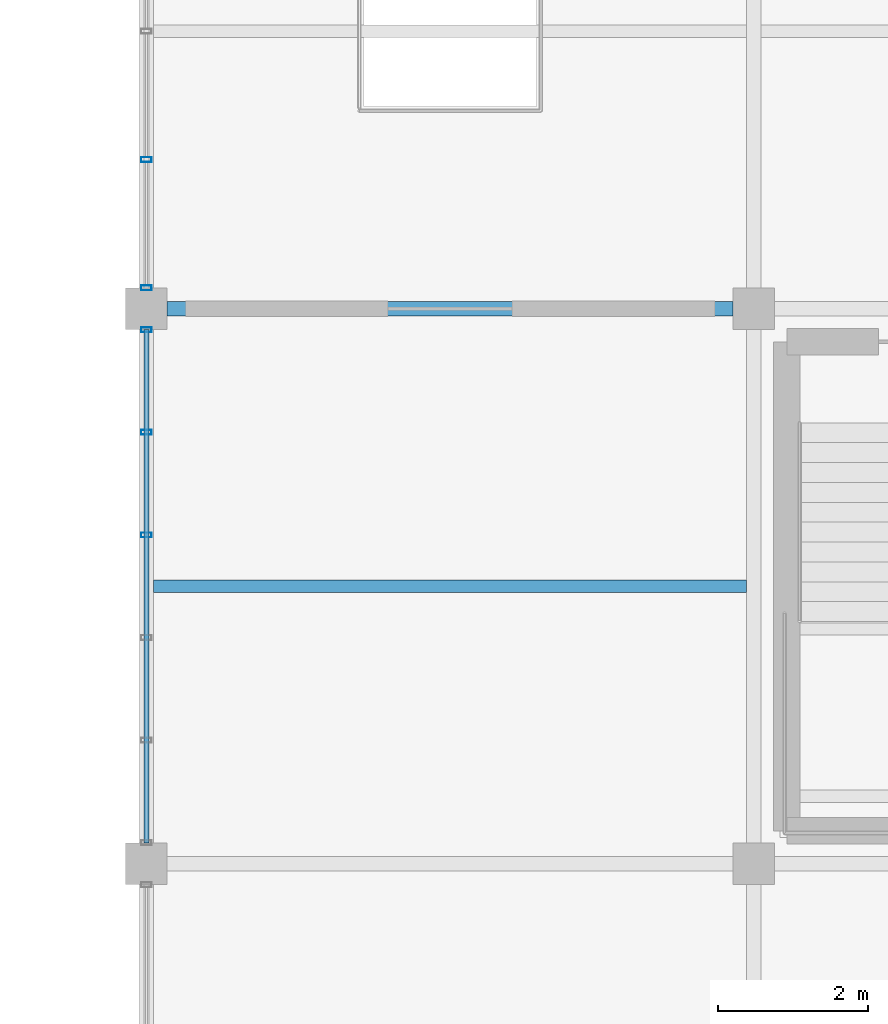
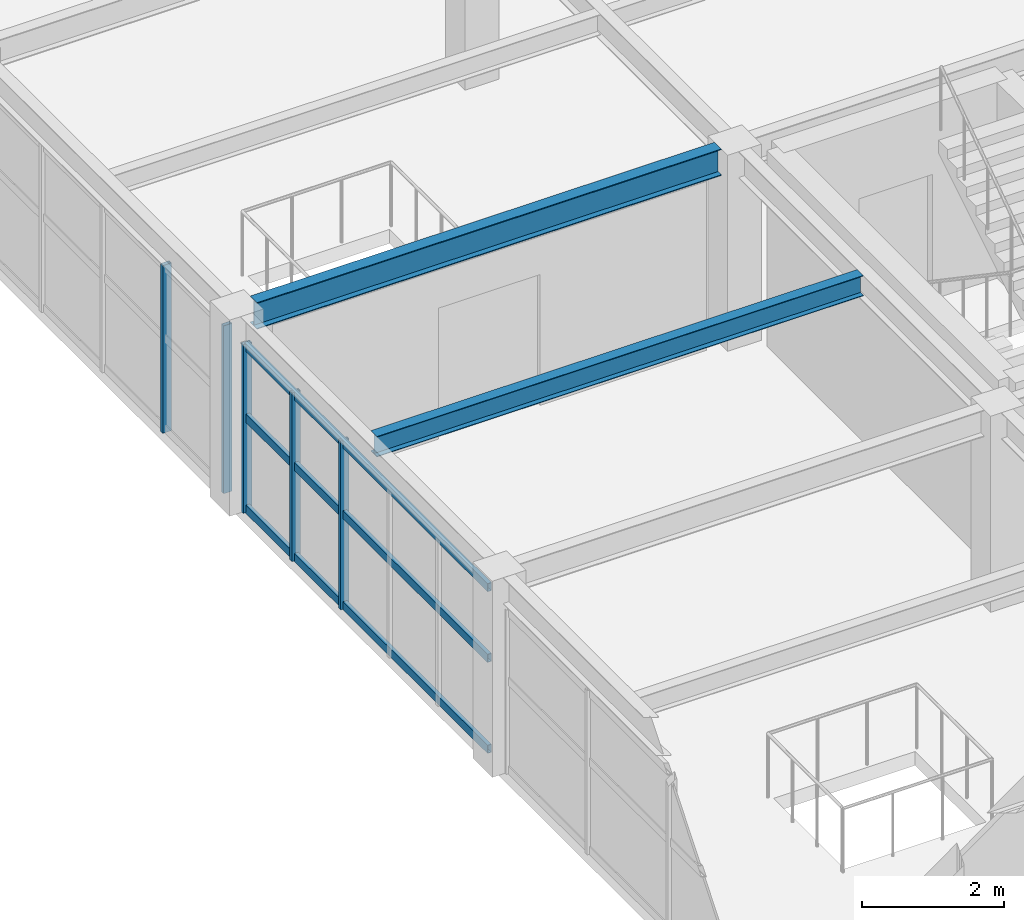
# One storey, part 37 of 121: 8 members, 2 beams, 2 elements without a shape of their own.
"""IFC4 building model written with IfcOpenShell, lengths in metres."""

from ifc_helpers import new_model, si_unit, direction, frame, origin, origin_2d, place, context, subcontext, project, spatial, hollow_rectangle, i_section, extrude, material, material_profile, profile_set, type_object, element, aggregate, save


model = new_model("IFC4")

# Units and contexts
model_context = context("Model", 3, precision=1e-05, world=origin(), true_north=direction((0.0, 1.0)))
body_context = subcontext(model_context, "Body", "Model", "MODEL_VIEW")
ifc_project = project(units=[si_unit("LENGTHUNIT", "METRE"), si_unit("AREAUNIT", "SQUARE_METRE"), si_unit("VOLUMEUNIT", "CUBIC_METRE"), si_unit("PLANEANGLEUNIT", "RADIAN"), si_unit("MASSUNIT", "GRAM", prefix="KILO")], contexts=[model_context])

# Site, building, storey
site_placement = place(None, origin())
site = spatial("IfcSite", under=ifc_project, at=site_placement, CompositionType="ELEMENT")
building_placement = place(site_placement, origin())
building = spatial("IfcBuilding", under=site, at=building_placement, Name="Cimatlan Art Gallery", CompositionType="ELEMENT")
storey_placement = place(building_placement, frame((0.0, 0.0, 10.199951171875)))
storey = spatial("IfcBuildingStorey", under=building, at=storey_placement, Name="L02", CompositionType="ELEMENT", Elevation=10.199951171875)

# Beams
ifc_material_1 = material(Name="Steel ASTM A992 Grade 50", Category="steel")
ifc_material_profile_1 = material_profile(ifc_material_1, i_section(OverallWidth=0.1708984375, OverallDepth=0.35107421875, WebThickness=0.0068359375, FlangeThickness=0.009765625, at=origin_2d()), Name="W14X30")
ifc_profile_set_1 = profile_set([ifc_material_profile_1], Name="Steel ASTM A992 Grade 50")
beam_type_1 = type_object("IfcBeamType", Name="BM-STL-W14X30", PredefinedType="JOIST", material=ifc_profile_set_1)
beam_1_placement = place(storey_placement, frame((115.49560546875, 49.800048828125, 3.194580078125), z_axis=(1.0, 0.0, 0.0), x_axis=(0.0, 1.0, 0.0)))
element("IfcBeam", 1, at=beam_1_placement, inside=storey, type_object=beam_type_1, Name="JST-L02-14-06", PredefinedType="JOIST", context=body_context, shape_type="SweptSolid", body=[
    extrude(i_section(OverallWidth=0.1708984375, OverallDepth=0.35107421875, WebThickness=0.0068359375, FlangeThickness=0.009765625, at=origin_2d()), origin(), (0.0, 0.0, 1.0), 7.908935546875),
])
ifc_material_profile_2 = material_profile(ifc_material_1, i_section(OverallWidth=0.19091796875, OverallDepth=0.45703125, WebThickness=0.009033203125, FlangeThickness=0.014404296875, at=origin_2d()), Name="W18X50")
ifc_profile_set_2 = profile_set([ifc_material_profile_2], Name="Steel ASTM A992 Grade 50")
beam_type_2 = type_object("IfcBeamType", Name="BM-STL-W18X50", PredefinedType="BEAM", material=ifc_profile_set_2)
beam_2_placement = place(storey_placement, frame((115.675048828125, 53.5, 3.1416015625), z_axis=(1.0, 0.0, 0.0), x_axis=(0.0, 1.0, 0.0)))
element("IfcBeam", 2, at=beam_2_placement, inside=storey, type_object=beam_type_2, Name="BM-X-L02-14-07", PredefinedType="BEAM", context=body_context, shape_type="SweptSolid", body=[
    extrude(i_section(OverallWidth=0.19091796875, OverallDepth=0.45703125, WebThickness=0.009033203125, FlangeThickness=0.014404296875, at=origin_2d()), origin(), (0.0, 0.0, 1.0), 7.550048828125),
])

# Curtain wall, members
ifc_material_2 = material(Name="Anodised bronze unitised curtain wall")
curtain_wall_type_1 = type_object("IfcCurtainWallType", Name="CW-V-06842X02898-B5", PredefinedType="NOTDEFINED", material=ifc_material_2)
curtain_wall_1_placement = place(storey_placement, origin())
curtain_wall_1 = element("IfcCurtainWall", 3, at=curtain_wall_1_placement, inside=storey, type_object=curtain_wall_type_1, Name="CW-L02-14-06-W", PredefinedType="NOTDEFINED")
ifc_material_3 = material(Name="Anodised bronze aluminium 6063-T6", Category="aluminium")
ifc_material_profile_3 = material_profile(ifc_material_3, hollow_rectangle(XDim=0.06494140625, YDim=0.139892578125, WallThickness=0.00390625, at=origin_2d()), Name="ALU65X140X4")
ifc_profile_set_3 = profile_set([ifc_material_profile_3], Name="Anodised bronze aluminium 6063-T6")
member_type_1 = type_object("IfcMemberType", Name="CW-MUL-140", PredefinedType="MULLION", material=ifc_profile_set_3)
member_1_placement = place(storey_placement, frame((115.39990234375, 50.484130859375, 0.0), z_axis=(0.0, 0.0, 1.0), x_axis=(0.0, 1.0, 0.0)))
member_1 = element("IfcMember", 4, at=member_1_placement, type_object=member_type_1, Name="CW-L02-14-06-W-M4", PredefinedType="MULLION", context=body_context, shape_type="SweptSolid", body=[
    extrude(hollow_rectangle(XDim=0.06494140625, YDim=0.139892578125, WallThickness=0.00390625, at=origin_2d()), origin(), (0.0, 0.0, 1.0), 2.89794921875),
])
member_2_placement = place(storey_placement, frame((115.39990234375, 51.8525390625, 0.0), z_axis=(0.0, 0.0, 1.0), x_axis=(0.0, 1.0, 0.0)))
member_2 = element("IfcMember", 5, at=member_2_placement, type_object=member_type_1, Name="CW-L02-14-06-W-M5", PredefinedType="MULLION", context=body_context, shape_type="SweptSolid", body=[
    extrude(hollow_rectangle(XDim=0.06494140625, YDim=0.139892578125, WallThickness=0.00390625, at=origin_2d()), origin(), (0.0, 0.0, 1.0), 2.89794921875),
])
member_3_placement = place(storey_placement, frame((115.39990234375, 53.220947265625, 0.0), z_axis=(0.0, 0.0, 1.0), x_axis=(0.0, 1.0, 0.0)))
member_3 = element("IfcMember", 6, at=member_3_placement, type_object=member_type_1, Name="CW-L02-14-06-W-M6", PredefinedType="MULLION", context=body_context, shape_type="SweptSolid", body=[
    extrude(hollow_rectangle(XDim=0.06494140625, YDim=0.139892578125, WallThickness=0.00390625, at=origin_2d()), origin(), (0.0, 0.0, 1.0), 2.89794921875),
])

curtain_wall_type_2 = type_object("IfcCurtainWallType", Name="CW-V-06842X02883-B4", PredefinedType="NOTDEFINED", material=ifc_material_2)
curtain_wall_2_placement = place(storey_placement, origin())
curtain_wall_2 = element("IfcCurtainWall", 7, at=curtain_wall_2_placement, inside=storey, type_object=curtain_wall_type_2, Name="CW-L02-14-07-W", PredefinedType="NOTDEFINED")
member_4_placement = place(storey_placement, frame((115.39990234375, 53.779052734375, 0.0), z_axis=(0.0, 0.0, 1.0), x_axis=(0.0, 1.0, 0.0)))
member_4 = element("IfcMember", 8, at=member_4_placement, type_object=member_type_1, Name="CW-L02-14-07-W-M1", PredefinedType="MULLION", context=body_context, shape_type="SweptSolid", body=[
    extrude(hollow_rectangle(XDim=0.06494140625, YDim=0.139892578125, WallThickness=0.00390625, at=origin_2d()), origin(), (0.0, 0.0, 1.0), 2.883056640625),
])
member_5_placement = place(storey_placement, frame((115.39990234375, 55.489501953125, 0.0), z_axis=(0.0, 0.0, 1.0), x_axis=(0.0, 1.0, 0.0)))
member_5 = element("IfcMember", 9, at=member_5_placement, type_object=member_type_1, Name="CW-L02-14-07-W-M2", PredefinedType="MULLION", context=body_context, shape_type="SweptSolid", body=[
    extrude(hollow_rectangle(XDim=0.06494140625, YDim=0.139892578125, WallThickness=0.00390625, at=origin_2d()), origin(), (0.0, 0.0, 1.0), 2.883056640625),
])
aggregate(curtain_wall_2, [member_4, member_5])

# Member
ifc_material_profile_4 = material_profile(ifc_material_3, hollow_rectangle(XDim=0.06494140625, YDim=0.139892578125, WallThickness=0.00390625, at=origin_2d()), Name="ALU65X140X4")
ifc_profile_set_4 = profile_set([ifc_material_profile_4], Name="Anodised bronze aluminium 6063-T6")
member_type_2 = type_object("IfcMemberType", Name="CW-TRN-140", PredefinedType="USERDEFINED", material=ifc_profile_set_4)
member_6_placement = place(storey_placement, frame((115.39990234375, 46.37890625, 0.06005859375), z_axis=(0.0, 1.0, 0.0), x_axis=(-1.0, 0.0, 0.0)))
member_6 = element("IfcMember", 10, at=member_6_placement, type_object=member_type_2, Name="CW-L02-14-06-W-T1", ObjectType="TRANSOM", PredefinedType="USERDEFINED", context=body_context, shape_type="SweptSolid", body=[
    extrude(hollow_rectangle(XDim=0.06494140625, YDim=0.139892578125, WallThickness=0.00390625, at=origin_2d()), origin(), (0.0, 0.0, 1.0), 6.842041015625),
])

member_7_placement = place(storey_placement, frame((115.39990234375, 46.37890625, 1.623046875), z_axis=(0.0, 1.0, 0.0), x_axis=(-1.0, 0.0, 0.0)))
member_7 = element("IfcMember", 11, at=member_7_placement, type_object=member_type_2, Name="CW-L02-14-06-W-T2", ObjectType="TRANSOM", PredefinedType="USERDEFINED", context=body_context, shape_type="SweptSolid", body=[
    extrude(hollow_rectangle(XDim=0.06494140625, YDim=0.139892578125, WallThickness=0.00390625, at=origin_2d()), origin(), (0.0, 0.0, 1.0), 6.842041015625),
])

member_8_placement = place(storey_placement, frame((115.39990234375, 46.37890625, 2.838134765625), z_axis=(0.0, 1.0, 0.0), x_axis=(-1.0, 0.0, 0.0)))
member_8 = element("IfcMember", 12, at=member_8_placement, type_object=member_type_2, Name="CW-L02-14-06-W-T3", ObjectType="TRANSOM", PredefinedType="USERDEFINED", context=body_context, shape_type="SweptSolid", body=[
    extrude(hollow_rectangle(XDim=0.06494140625, YDim=0.139892578125, WallThickness=0.00390625, at=origin_2d()), origin(), (0.0, 0.0, 1.0), 6.842041015625),
])

aggregate(curtain_wall_1, [member_1, member_2, member_3, member_6, member_7, member_8])

save(model, "model.ifc")
